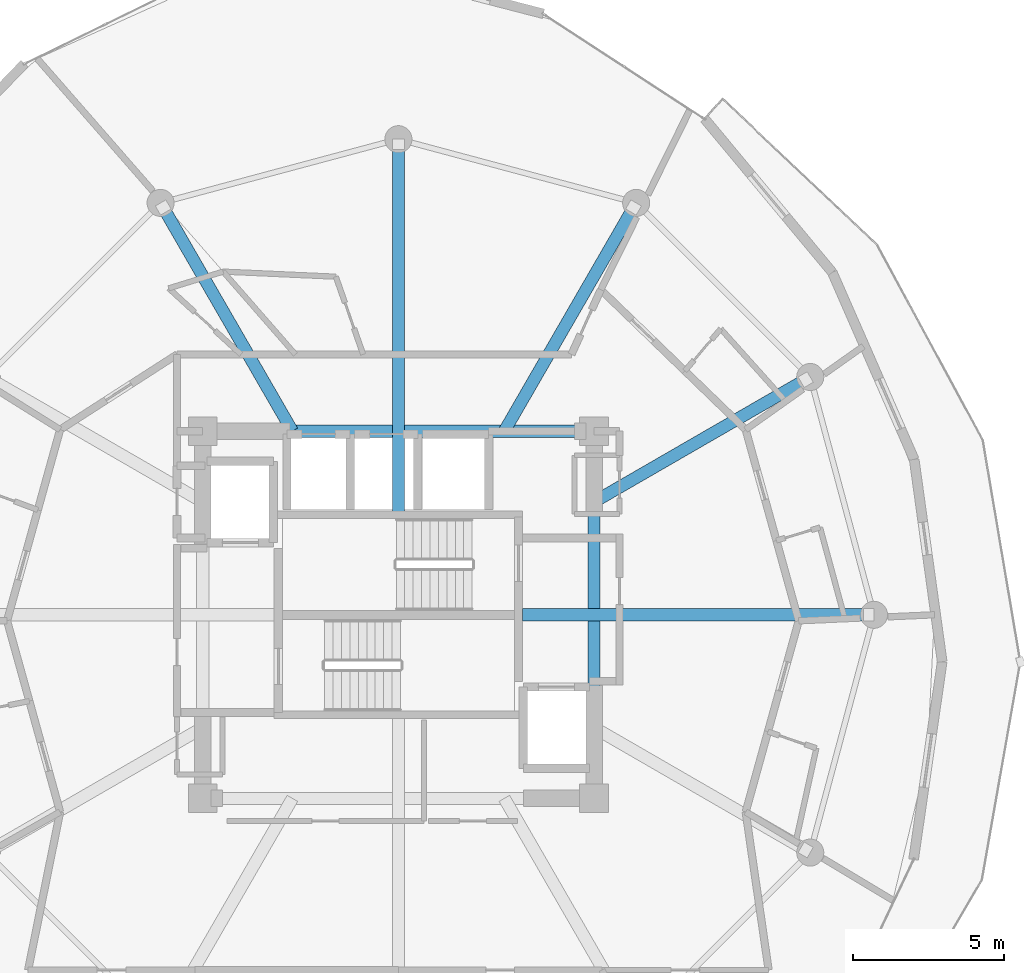
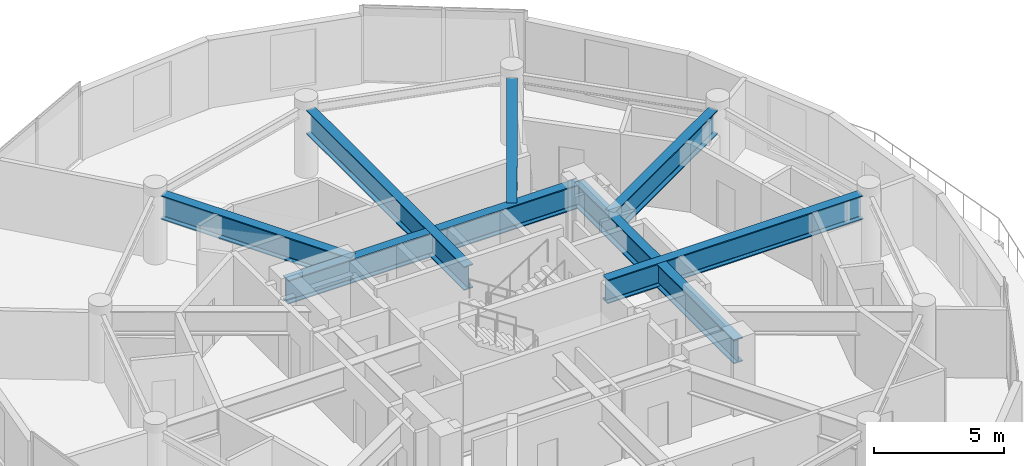
# One storey, part 9 of 22: 7 beams.
"""IFC4 building model written with IfcOpenShell, lengths in metres."""

from ifc_helpers import new_model, si_unit, direction, frame, origin, origin_2d, place, context, subcontext, project, spatial, i_section, extrude, material, material_profile, profile_set, type_object, element, save


model = new_model("IFC4")

# Units and contexts
model_context = context("Model", 3, precision=1e-05, world=origin(), true_north=direction((0.0, 1.0)))
body_context = subcontext(model_context, "Body", "Model", "MODEL_VIEW")
ifc_project = project(units=[si_unit("LENGTHUNIT", "METRE"), si_unit("AREAUNIT", "SQUARE_METRE"), si_unit("VOLUMEUNIT", "CUBIC_METRE"), si_unit("PLANEANGLEUNIT", "RADIAN"), si_unit("MASSUNIT", "GRAM", prefix="KILO")], contexts=[model_context])

# Site, building, storey
site_placement = place(None, origin())
site = spatial("IfcSite", under=ifc_project, at=site_placement, CompositionType="ELEMENT")
building_placement = place(site_placement, origin())
building = spatial("IfcBuilding", under=site, at=building_placement, Name="Solvirekh Grand Hotel", CompositionType="ELEMENT")
storey_placement = place(building_placement, frame((0.0, 0.0, 230.800048828125)))
storey = spatial("IfcBuildingStorey", under=building, at=storey_placement, Name="L60", CompositionType="ELEMENT", Elevation=230.800048828125)

# Beams
ifc_material = material(Name="Steel S460", Category="steel")
ifc_material_profile = material_profile(ifc_material, i_section(OverallWidth=0.405029296875, OverallDepth=1.117919921875, WebThickness=0.02587890625, FlangeThickness=0.048095703125, FilletRadius=0.02392578125, at=origin_2d()), Name="W1100X499")
ifc_profile_set = profile_set([ifc_material_profile], Name="Steel S460")
beam_type = type_object("IfcBeamType", Name="TransferGirder_W1100", PredefinedType="USERDEFINED", material=ifc_profile_set)
beam_1_placement = place(storey_placement, frame((6.5, -6.10009765625, 2.640869140625), z_axis=(0.0, 1.0, 0.0), x_axis=(-1.0, 0.0, 0.0)))
element("IfcBeam", 1, at=beam_1_placement, inside=storey, type_object=beam_type, Name="L60 core coupling ring beam 2", ObjectType="TRANSFER GIRDER", PredefinedType="USERDEFINED", context=body_context, shape_type="SweptSolid", body=[
    extrude(i_section(OverallWidth=0.405029296875, OverallDepth=1.117919921875, WebThickness=0.02587890625, FlangeThickness=0.048095703125, FilletRadius=0.02392578125, at=origin_2d()), origin(), (0.0, 0.0, 1.0), 12.2001953125),
])
beam_2_placement = place(storey_placement, frame((6.5, 6.10009765625, 2.640869140625), z_axis=(-1.0, 0.0, 0.0), x_axis=(0.0, -1.0, 0.0)))
element("IfcBeam", 2, at=beam_2_placement, inside=storey, type_object=beam_type, Name="L60 core coupling ring beam 3", ObjectType="TRANSFER GIRDER", PredefinedType="USERDEFINED", context=body_context, shape_type="SweptSolid", body=[
    extrude(i_section(OverallWidth=0.405029296875, OverallDepth=1.117919921875, WebThickness=0.02587890625, FlangeThickness=0.048095703125, FilletRadius=0.02392578125, at=origin_2d()), origin(), (0.0, 0.0, 1.0), 13.0),
])
beam_3_placement = place(storey_placement, frame((4.1298828125, 0.0, 2.640869140625), z_axis=(1.0, 0.0, 0.0), x_axis=(0.0, 1.0, 0.0)))
element("IfcBeam", 3, at=beam_3_placement, inside=storey, type_object=beam_type, Name="L60 inner radial transfer girder 1A", ObjectType="TRANSFER GIRDER", PredefinedType="USERDEFINED", context=body_context, shape_type="SweptSolid", body=[
    extrude(i_section(OverallWidth=0.405029296875, OverallDepth=1.117919921875, WebThickness=0.02587890625, FlangeThickness=0.048095703125, FilletRadius=0.02392578125, at=origin_2d()), origin(), (0.0, 0.0, 1.0), 11.320068359375),
])
beam_4_placement = place(storey_placement, frame((6.5, 3.7509765625, 2.640869140625), z_axis=(0.865915353139, 0.500190564883, 0.0), x_axis=(-0.500190564883, 0.865915353139, 0.0)))
element("IfcBeam", 4, at=beam_4_placement, inside=storey, type_object=beam_type, Name="L60 inner radial transfer girder 2A", ObjectType="TRANSFER GIRDER", PredefinedType="USERDEFINED", context=body_context, shape_type="SweptSolid", body=[
    extrude(i_section(OverallWidth=0.405029296875, OverallDepth=1.117919921875, WebThickness=0.02587890625, FlangeThickness=0.048095703125, FilletRadius=0.02392578125, at=origin_2d()), origin(), (0.0, 0.0, 1.0), 7.9453125),
])
beam_5_placement = place(storey_placement, frame((3.52001953125, 6.10009765625, 2.640869140625), z_axis=(0.500186636498, 0.865917622334, 0.0), x_axis=(-0.865917622334, 0.500186636498, 0.0)))
element("IfcBeam", 5, at=beam_5_placement, inside=storey, type_object=beam_type, Name="L60 inner radial transfer girder 3A", ObjectType="TRANSFER GIRDER", PredefinedType="USERDEFINED", context=body_context, shape_type="SweptSolid", body=[
    extrude(i_section(OverallWidth=0.405029296875, OverallDepth=1.117919921875, WebThickness=0.02587890625, FlangeThickness=0.048095703125, FilletRadius=0.02392578125, at=origin_2d()), origin(), (0.0, 0.0, 1.0), 8.406982421875),
])
beam_6_placement = place(storey_placement, frame((0.0, 3.324951171875, 2.640869140625), z_axis=(0.0, 1.0, 0.0), x_axis=(-1.0, 0.0, 0.0)))
element("IfcBeam", 6, at=beam_6_placement, inside=storey, type_object=beam_type, Name="L60 inner radial transfer girder 4A", ObjectType="TRANSFER GIRDER", PredefinedType="USERDEFINED", context=body_context, shape_type="SweptSolid", body=[
    extrude(i_section(OverallWidth=0.405029296875, OverallDepth=1.117919921875, WebThickness=0.02587890625, FlangeThickness=0.048095703125, FilletRadius=0.02392578125, at=origin_2d()), origin(), (0.0, 0.0, 1.0), 12.125),
])
beam_7_placement = place(storey_placement, frame((-3.52001953125, 6.10009765625, 2.640869140625), z_axis=(-0.500186636498, 0.865917622334, 0.0), x_axis=(-0.865917622334, -0.500186636498, 0.0)))
element("IfcBeam", 7, at=beam_7_placement, inside=storey, type_object=beam_type, Name="L60 inner radial transfer girder 5A", ObjectType="TRANSFER GIRDER", PredefinedType="USERDEFINED", context=body_context, shape_type="SweptSolid", body=[
    extrude(i_section(OverallWidth=0.405029296875, OverallDepth=1.117919921875, WebThickness=0.02587890625, FlangeThickness=0.048095703125, FilletRadius=0.02392578125, at=origin_2d()), origin(), (0.0, 0.0, 1.0), 8.406982421875),
])

save(model, "model.ifc")
